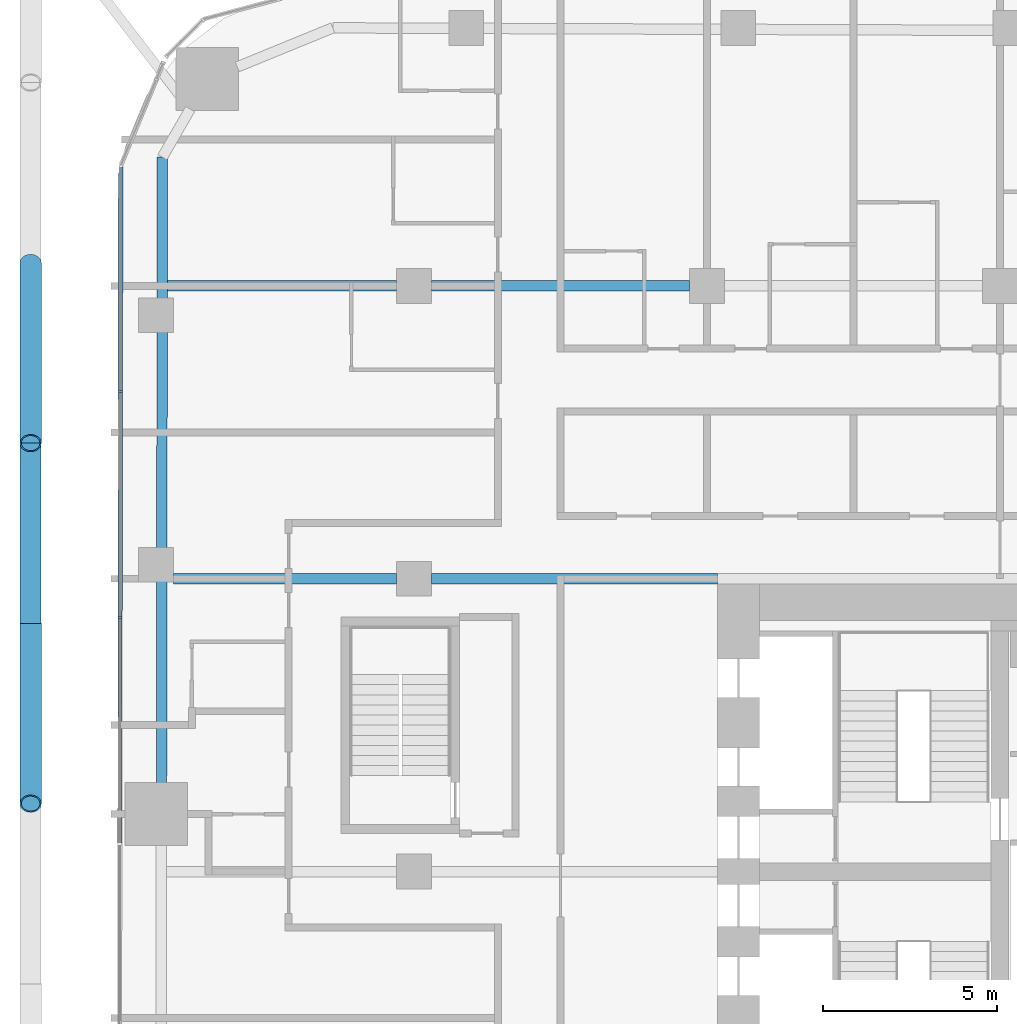
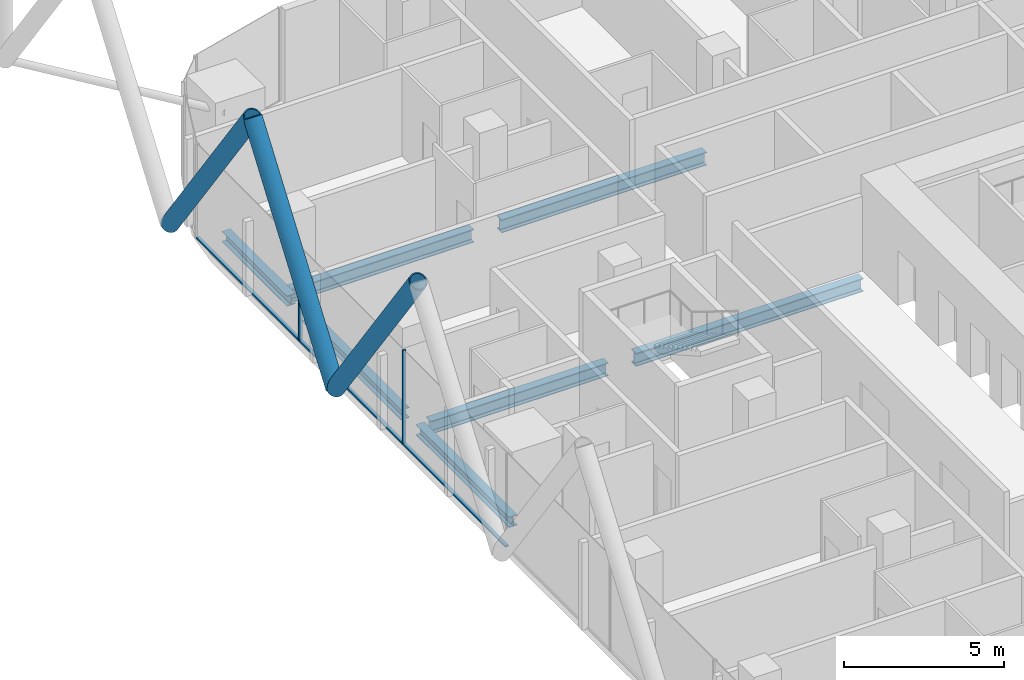
# One storey, part 9 of 35: 8 members, 7 beams, 1 element without a shape of its own.
"""IFC4 building model written with IfcOpenShell, lengths in metres."""

from ifc_helpers import new_model, si_unit, direction, frame, origin, origin_2d, place, context, subcontext, project, spatial, rectangle, hollow_circle, i_section, extrude, material, layer, layer_set, material_profile, profile_set, type_object, element, aggregate, save


model = new_model("IFC4")

# Units and contexts
model_context = context("Model", 3, precision=1e-05, world=origin(), true_north=direction((0.0, 1.0)))
body_context = subcontext(model_context, "Body", "Model", "MODEL_VIEW")
ifc_project = project(units=[si_unit("LENGTHUNIT", "METRE"), si_unit("AREAUNIT", "SQUARE_METRE"), si_unit("VOLUMEUNIT", "CUBIC_METRE"), si_unit("PLANEANGLEUNIT", "RADIAN"), si_unit("MASSUNIT", "GRAM", prefix="KILO")], contexts=[model_context])

# Site, building, storey
site_placement = place(None, origin())
site = spatial("IfcSite", under=ifc_project, at=site_placement, CompositionType="ELEMENT")
building_placement = place(site_placement, origin())
building = spatial("IfcBuilding", under=site, at=building_placement, Name="Marenta Gate Hotel Tower", CompositionType="ELEMENT")
storey_placement = place(building_placement, frame((0.0, 0.0, 61.699951171875)))
storey = spatial("IfcBuildingStorey", under=building, at=storey_placement, Name="L13", CompositionType="ELEMENT", Elevation=61.699951171875)

# Members
ifc_material_1 = material(Name="Steel S355J2W", Category="steel")
ifc_material_profile_1 = material_profile(ifc_material_1, hollow_circle(Radius=0.304931640625, WallThickness=0.0400390625, at=origin_2d()), Name="CHS 610x40")
ifc_profile_set_1 = profile_set([ifc_material_profile_1], Name="Steel S355J2W")
member_type_1 = type_object("IfcMemberType", Name="Diagrid diagonal Z1 CHS 610x40", PredefinedType="BRACE", material=ifc_profile_set_1)
member_1_placement = place(storey_placement, frame((-32.0, 15.52001953125, 3.14013671875), z_axis=(0.0, -0.583279014058, 0.812271870595), x_axis=(1.0, 0.0, 0.0)))
element("IfcMember", 1, at=member_1_placement, inside=storey, type_object=member_type_1, Name="L13-DG-30", PredefinedType="BRACE", context=body_context, shape_type="SweptSolid", body=[
    extrude(hollow_circle(Radius=0.304931640625, WallThickness=0.0400390625, at=origin_2d()), origin(), (0.0, 0.0, 1.0), 8.864013671875),
])
member_2_placement = place(storey_placement, frame((-32.0, 15.52001953125, 3.14013671875), z_axis=(0.0, 0.583260841117, 0.812284919975), x_axis=(-1.0, 0.0, 0.0)))
element("IfcMember", 2, at=member_2_placement, inside=storey, type_object=member_type_1, Name="L13-DG-31", PredefinedType="BRACE", context=body_context, shape_type="SweptSolid", body=[
    extrude(hollow_circle(Radius=0.304931640625, WallThickness=0.0400390625, at=origin_2d()), origin(), (0.0, 0.0, 1.0), 8.86376953125),
])
member_3_placement = place(storey_placement, frame((-32.0, 25.860107421875, 3.14013671875), z_axis=(0.0, -0.583279014058, 0.812271870595), x_axis=(1.0, 0.0, 0.0)))
element("IfcMember", 3, at=member_3_placement, inside=storey, type_object=member_type_1, Name="L13-DG-32", PredefinedType="BRACE", context=body_context, shape_type="SweptSolid", body=[
    extrude(hollow_circle(Radius=0.304931640625, WallThickness=0.0400390625, at=origin_2d()), origin(), (0.0, 0.0, 1.0), 8.864013671875),
])

# Beams
ifc_material_2 = material(Name="Steel S355", Category="steel")
ifc_material_profile_2 = material_profile(ifc_material_2, i_section(OverallWidth=0.300048828125, OverallDepth=0.39990234375, WebThickness=0.013427734375, FlangeThickness=0.02392578125, FilletRadius=0.027099609375, at=origin_2d()), Name="HEB 400")
ifc_profile_set_2 = profile_set([ifc_material_profile_2], Name="Steel S355")
beam_type_1 = type_object("IfcBeamType", Name="Edge beam HEB 400", PredefinedType="SPANDREL", material=ifc_profile_set_2)
beam_1_placement = place(storey_placement, frame((-28.246337890625, 10.909912109375, -0.4599609375), z_axis=(0.001423009483, 0.999998987521, 0.0), x_axis=(-0.999998987521, 0.001423009483, 0.0)))
element("IfcBeam", 4, at=beam_1_placement, inside=storey, type_object=beam_type_1, Name="L13-EB-8", PredefinedType="SPANDREL", context=body_context, shape_type="SweptSolid", body=[
    extrude(i_section(OverallWidth=0.300048828125, OverallDepth=0.39990234375, WebThickness=0.013427734375, FlangeThickness=0.02392578125, FilletRadius=0.027099609375, at=origin_2d()), origin(), (0.0, 0.0, 1.0), 5.833251953125),
])
beam_2_placement = place(storey_placement, frame((-28.23681640625, 17.6630859375, -0.4599609375), z_axis=(0.001370827476, 0.999999060416, 0.0), x_axis=(-0.999999060416, 0.001370827476, 0.0)))
element("IfcBeam", 5, at=beam_2_placement, inside=storey, type_object=beam_type_1, Name="L13-EB-9", PredefinedType="SPANDREL", context=body_context, shape_type="SweptSolid", body=[
    extrude(i_section(OverallWidth=0.300048828125, OverallDepth=0.39990234375, WebThickness=0.013427734375, FlangeThickness=0.02392578125, FilletRadius=0.027099609375, at=origin_2d()), origin(), (0.0, 0.0, 1.0), 6.2333984375),
])
beam_3_placement = place(storey_placement, frame((-28.22705078125, 24.81640625, -0.4599609375), z_axis=(0.001377821732, 0.999999050803, 0.0), x_axis=(-0.999999050803, 0.001377821732, 0.0)))
element("IfcBeam", 6, at=beam_3_placement, inside=storey, type_object=beam_type_1, Name="L13-EB-10", PredefinedType="SPANDREL", context=body_context, shape_type="SweptSolid", body=[
    extrude(i_section(OverallWidth=0.300048828125, OverallDepth=0.39990234375, WebThickness=0.013427734375, FlangeThickness=0.02392578125, FilletRadius=0.027099609375, at=origin_2d()), origin(), (0.0, 0.0, 1.0), 4.075439453125),
])
ifc_material_3 = material(Name="Steel S355", Category="steel")
ifc_material_profile_3 = material_profile(ifc_material_3, i_section(OverallWidth=0.300048828125, OverallDepth=0.5, WebThickness=0.014404296875, FlangeThickness=0.028076171875, FilletRadius=0.027099609375, at=origin_2d()), Name="HEB 500")
ifc_profile_set_3 = profile_set([ifc_material_profile_3], Name="Steel S355")
beam_type_2 = type_object("IfcBeamType", Name="Girder HEB 500", PredefinedType="BEAM", material=ifc_profile_set_3)
beam_4_placement = place(storey_placement, frame((-27.89990234375, 16.800048828125, -0.510009765625), z_axis=(1.0, 0.0, 0.0), x_axis=(0.0, 1.0, 0.0)))
element("IfcBeam", 7, at=beam_4_placement, inside=storey, type_object=beam_type_2, Name="L13-GD-17", PredefinedType="BEAM", context=body_context, shape_type="SweptSolid", body=[
    extrude(i_section(OverallWidth=0.300048828125, OverallDepth=0.5, WebThickness=0.014404296875, FlangeThickness=0.028076171875, FilletRadius=0.027099609375, at=origin_2d()), origin(), (0.0, 0.0, 1.0), 6.39990234375),
])
beam_5_placement = place(storey_placement, frame((-20.5, 16.800048828125, -0.510009765625), z_axis=(1.0, 0.0, 0.0), x_axis=(0.0, 1.0, 0.0)))
element("IfcBeam", 8, at=beam_5_placement, inside=storey, type_object=beam_type_2, Name="L13-GD-18", PredefinedType="BEAM", context=body_context, shape_type="SweptSolid", body=[
    extrude(i_section(OverallWidth=0.300048828125, OverallDepth=0.5, WebThickness=0.014404296875, FlangeThickness=0.028076171875, FilletRadius=0.027099609375, at=origin_2d()), origin(), (0.0, 0.0, 1.0), 8.199951171875),
])
beam_6_placement = place(storey_placement, frame((-28.076416015625, 25.199951171875, -0.510009765625), z_axis=(1.0, 0.0, 0.0), x_axis=(0.0, 1.0, 0.0)))
element("IfcBeam", 9, at=beam_6_placement, inside=storey, type_object=beam_type_2, Name="L13-GD-22", PredefinedType="BEAM", context=body_context, shape_type="SweptSolid", body=[
    extrude(i_section(OverallWidth=0.300048828125, OverallDepth=0.5, WebThickness=0.014404296875, FlangeThickness=0.028076171875, FilletRadius=0.027099609375, at=origin_2d()), origin(), (0.0, 0.0, 1.0), 6.576416015625),
])
beam_7_placement = place(storey_placement, frame((-20.5, 25.199951171875, -0.510009765625), z_axis=(1.0, 0.0, 0.0), x_axis=(0.0, 1.0, 0.0)))
element("IfcBeam", 10, at=beam_7_placement, inside=storey, type_object=beam_type_2, Name="L13-GD-23", PredefinedType="BEAM", context=body_context, shape_type="SweptSolid", body=[
    extrude(i_section(OverallWidth=0.300048828125, OverallDepth=0.5, WebThickness=0.014404296875, FlangeThickness=0.028076171875, FilletRadius=0.027099609375, at=origin_2d()), origin(), (0.0, 0.0, 1.0), 7.39990234375),
])

# Curtain wall, members
ifc_material_4 = material(Name="Tinted insulated glass in bronze anodised frame", Category="glass")
ifc_layer = layer(ifc_material_4, 0.1201171875)
ifc_layer_set = layer_set([ifc_layer], Name="Tinted insulated glass in bronze anodised frame")
curtain_wall_type = type_object("IfcCurtainWallType", Name="Tower unitised curtain wall CW1", PredefinedType="NOTDEFINED", material=ifc_layer_set)
curtain_wall_placement = place(storey_placement, origin())
curtain_wall = element("IfcCurtainWall", 11, at=curtain_wall_placement, inside=storey, type_object=curtain_wall_type, Name="CW1 run G04", PredefinedType="NOTDEFINED")
ifc_material_5 = material(Name="Bronze anodised aluminium", Category="aluminium")
ifc_material_profile_4 = material_profile(ifc_material_5, rectangle(XDim=0.1201171875, YDim=0.06005859375, at=origin_2d()), Name="Mullion CW1 60x120 bronze anodised aluminium")
ifc_profile_set_4 = profile_set([ifc_material_profile_4], Name="Bronze anodised aluminium")
member_type_2 = type_object("IfcMemberType", Name="Mullion CW1 60x120 bronze anodised aluminium", PredefinedType="MULLION", material=ifc_profile_set_4)
member_4_placement = place(storey_placement, frame((-29.42236328125, 22.17578125, 0.0), z_axis=(0.0, 0.0, 1.0), x_axis=(0.99999877316, -0.00156642217, 0.0)))
member_4 = element("IfcMember", 12, at=member_4_placement, type_object=member_type_2, Name="CW1 mullion 2", PredefinedType="MULLION", context=body_context, shape_type="SweptSolid", body=[
    extrude(rectangle(XDim=0.1201171875, YDim=0.06005859375, at=origin_2d()), origin(), (0.0, 0.0, 1.0), 3.60009765625),
])
member_5_placement = place(storey_placement, frame((-29.4326171875, 15.685546875, 0.0), z_axis=(0.0, 0.0, 1.0), x_axis=(0.99999877316, -0.00156642217, 0.0)))
member_5 = element("IfcMember", 13, at=member_5_placement, type_object=member_type_2, Name="CW1 mullion 3", PredefinedType="MULLION", context=body_context, shape_type="SweptSolid", body=[
    extrude(rectangle(XDim=0.1201171875, YDim=0.06005859375, at=origin_2d()), origin(), (0.0, 0.0, 1.0), 3.60009765625),
])
ifc_material_6 = material(Name="Bronze anodised aluminium", Category="aluminium")
ifc_material_profile_5 = material_profile(ifc_material_6, rectangle(XDim=0.1201171875, YDim=0.06005859375, at=origin_2d()), Name="Transom CW1 60x120 bronze anodised aluminium")
ifc_profile_set_5 = profile_set([ifc_material_profile_5], Name="Bronze anodised aluminium")
member_type_3 = type_object("IfcMemberType", Name="Transom CW1 60x120 bronze anodised aluminium", PredefinedType="USERDEFINED", material=ifc_profile_set_5)
member_6_placement = place(storey_placement, frame((-29.412353515625, 28.606201171875, 0.030029296875), z_axis=(-0.001563928512, -0.999998777063, 0.0), x_axis=(0.999998777063, -0.001563928512, 0.0)))
member_6 = element("IfcMember", 14, at=member_6_placement, type_object=member_type_3, Name="CW1 transom 1.1", ObjectType="TRANSOM", PredefinedType="USERDEFINED", context=body_context, shape_type="SweptSolid", body=[
    extrude(rectangle(XDim=0.1201171875, YDim=0.06005859375, at=origin_2d()), origin(), (0.0, 0.0, 1.0), 6.400390625),
])
member_7_placement = place(storey_placement, frame((-29.422607421875, 22.145751953125, 0.030029296875), z_axis=(-0.001556684271, -0.999998788366, 0.0), x_axis=(0.999998788366, -0.001556684271, 0.0)))
member_7 = element("IfcMember", 15, at=member_7_placement, type_object=member_type_3, Name="CW1 transom 2.1", ObjectType="TRANSOM", PredefinedType="USERDEFINED", context=body_context, shape_type="SweptSolid", body=[
    extrude(rectangle(XDim=0.1201171875, YDim=0.06005859375, at=origin_2d()), origin(), (0.0, 0.0, 1.0), 6.43017578125),
])
member_8_placement = place(storey_placement, frame((-29.4326171875, 15.655517578125, 0.030029296875), z_axis=(-0.001594591541, -0.999998728638, 0.0), x_axis=(0.999998728638, -0.001594591541, 0.0)))
member_8 = element("IfcMember", 16, at=member_8_placement, type_object=member_type_3, Name="CW1 transom 3.1", ObjectType="TRANSOM", PredefinedType="USERDEFINED", context=body_context, shape_type="SweptSolid", body=[
    extrude(rectangle(XDim=0.1201171875, YDim=0.06005859375, at=origin_2d()), origin(), (0.0, 0.0, 1.0), 6.430419921875),
])
aggregate(curtain_wall, [member_4, member_5, member_6, member_7, member_8])

save(model, "model.ifc")
